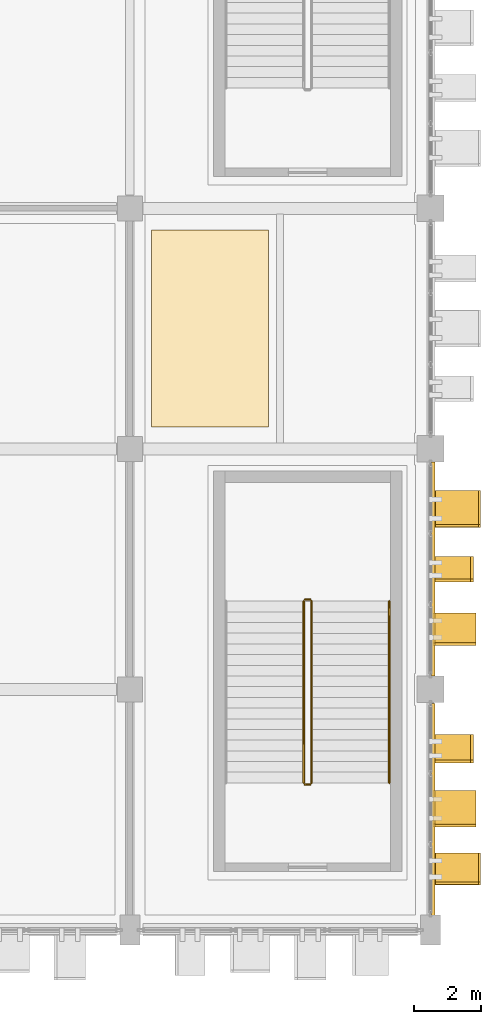
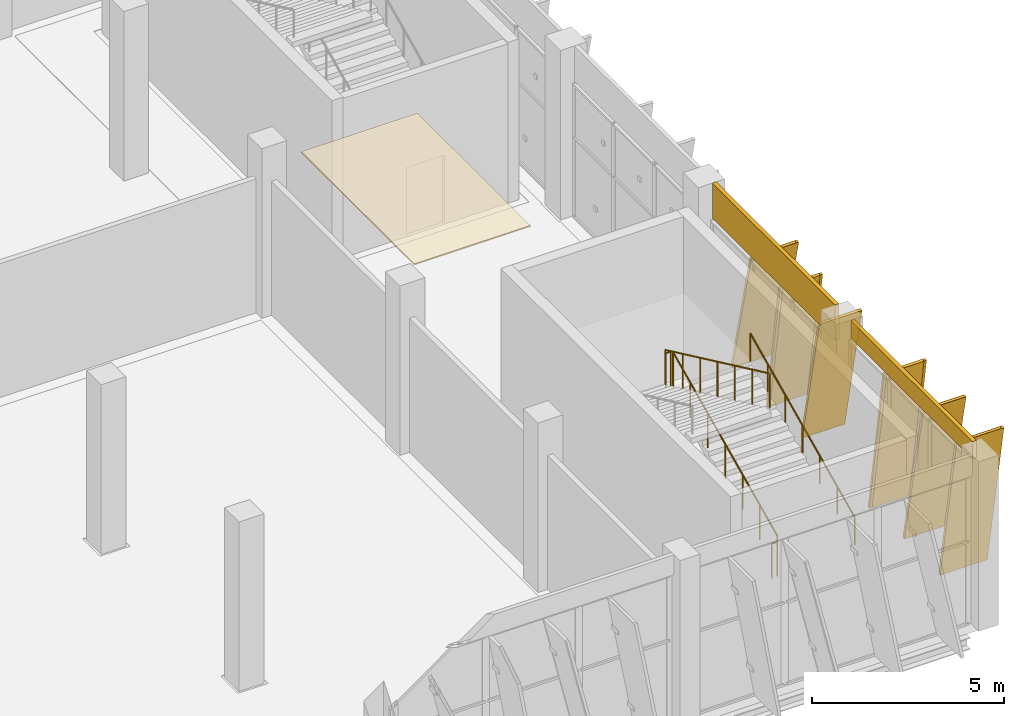
# One storey, part 121 of 137: 9 coverings, 6 shading devices, 5 railings.
"""IFC4 building model written with IfcOpenShell, lengths in metres."""

from ifc_helpers import new_model, si_unit, direction, frame, origin, origin_2d, place, context, subcontext, project, spatial, polyline, rectangle, circle, outline, extrude, material, layer, layer_set, material_profile, profile_set, type_object, element, save


model = new_model("IFC4")

# Units and contexts
model_context = context("Model", 3, precision=1e-05, world=origin(), true_north=direction((0.0, 1.0)))
body_context = subcontext(model_context, "Body", "Model", "MODEL_VIEW")
ifc_project = project(units=[si_unit("LENGTHUNIT", "METRE"), si_unit("AREAUNIT", "SQUARE_METRE"), si_unit("VOLUMEUNIT", "CUBIC_METRE"), si_unit("PLANEANGLEUNIT", "RADIAN"), si_unit("MASSUNIT", "GRAM", prefix="KILO")], contexts=[model_context])

# Site, building, storey
site_placement = place(None, origin())
site = spatial("IfcSite", under=ifc_project, at=site_placement, CompositionType="ELEMENT")
building_placement = place(site_placement, origin())
building = spatial("IfcBuilding", under=site, at=building_placement, Name="Celestram Park Convention Centre", CompositionType="ELEMENT")
storey_placement = place(building_placement, origin())
storey = spatial("IfcBuildingStorey", under=building, at=storey_placement, Name="L00", CompositionType="ELEMENT", Elevation=0.0)

# Coverings
ifc_material_1 = material(Name="Anodised Bronze Aluminium Spandrel Cladding", Category="aluminium")
ifc_layer_1 = layer(ifc_material_1, 0.050048828125)
ifc_layer_set_1 = layer_set([ifc_layer_1], Name="Anodised Bronze Aluminium Spandrel Cladding")
covering_type_1 = type_object("IfcCoveringType", Name="ARC-COV-CLD060", PredefinedType="CLADDING", material=ifc_layer_set_1)
covering_1_placement = place(storey_placement, frame((216.080078125, 10.800048828125, 4.2841796875), z_axis=(0.0, 0.0, 1.0), x_axis=(0.0, -1.0, 0.0)))
element("IfcCovering", 1, at=covering_1_placement, inside=storey, type_object=covering_type_1, Name="Bronze spandrel cladding CL-L00-024", PredefinedType="CLADDING", context=body_context, shape_type="SweptSolid", body=[
    extrude(rectangle(XDim=6.404052734375, YDim=0.1201171875, at=origin_2d()), origin(), (0.0, 0.0, 1.0), 1.115966796875),
])
covering_2_placement = place(storey_placement, frame((216.080078125, 3.60009765625, 4.840087890625), z_axis=(0.0, 0.0, 1.0), x_axis=(0.0, -1.0, 0.0)))
element("IfcCovering", 2, at=covering_2_placement, inside=storey, type_object=covering_type_1, Name="Bronze spandrel cladding CL-L00-025", PredefinedType="CLADDING", context=body_context, shape_type="SweptSolid", body=[
    extrude(rectangle(XDim=6.35400390625, YDim=0.1201171875, at=origin_2d()), origin(), (0.0, 0.0, 1.0), 0.56005859375),
])
ifc_material_2 = material(Name="Perforated Acoustic Mineral-Fibre Baffle Ceiling", Category="gypsum")
ifc_layer_2 = layer(ifc_material_2, 0.0400390625)
ifc_layer_set_2 = layer_set([ifc_layer_2], Name="Perforated Acoustic Mineral-Fibre Baffle Ceiling")
covering_type_2 = type_object("IfcCoveringType", Name="ARC-COV-CLG040", PredefinedType="CEILING", material=ifc_layer_set_2)
covering_3_placement = place(storey_placement, frame((0.0, 0.0, 5.080078125)))
element("IfcCovering", 3, at=covering_3_placement, inside=storey, type_object=covering_type_2, Name="East Ballroom Stair Foyer L00 acoustic baffle ceiling", PredefinedType="CEILING", context=body_context, shape_type="SweptSolid", body=[
    extrude(outline(polyline([(207.64990234375, 15.050048828125), (211.14990234375, 15.050048828125), (211.14990234375, 20.949951171875), (207.64990234375, 20.949951171875), (207.64990234375, 15.050048828125)])), origin(), (0.0, 0.0, 1.0), 0.0400390625),
])
ifc_material_3 = material(Name="Timber-Toned Anodised Aluminium Alloy 6063-T6", Category="wood")
ifc_material_profile_1 = material_profile(ifc_material_3, rectangle(XDim=1.1201171875, YDim=0.090087890625, at=origin_2d()), Name="REED1120X90")
ifc_profile_set_1 = profile_set([ifc_material_profile_1], Name="Timber-Toned Anodised Aluminium Alloy 6063-T6")
covering_type_3 = type_object("IfcCoveringType", Name="ARC-COV-FIN1120", PredefinedType="CLADDING", material=ifc_profile_set_1)
covering_4_placement = place(storey_placement, frame((216.639892578125, 11.14013671875, 0.032470703125), z_axis=(0.0, -0.159892813281, 0.987134382068), x_axis=(1.0, 0.0, 0.0)))
element("IfcCovering", 4, at=covering_4_placement, inside=storey, type_object=covering_type_3, Name="Leaning timber-toned reed fin RFN-L00-0078", PredefinedType="CLADDING", context=body_context, shape_type="SweptSolid", body=[
    extrude(rectangle(XDim=1.1201171875, YDim=0.090087890625, at=origin_2d()), origin(), (0.0, 0.0, 1.0), 4.25390625),
])
covering_5_placement = place(storey_placement, frame((216.639892578125, 5.8095703125, 0.035888671875), z_axis=(0.0, -0.159878683359, 0.987136670683), x_axis=(1.0, 0.0, 0.0)))
element("IfcCovering", 5, at=covering_5_placement, inside=storey, type_object=covering_type_3, Name="Leaning timber-toned reed fin RFN-L00-0080", PredefinedType="CLADDING", context=body_context, shape_type="SweptSolid", body=[
    extrude(rectangle(XDim=1.1201171875, YDim=0.090087890625, at=origin_2d()), origin(), (0.0, 0.0, 1.0), 4.81005859375),
])
ifc_material_profile_2 = material_profile(ifc_material_3, rectangle(XDim=1.280029296875, YDim=0.090087890625, at=origin_2d()), Name="REED1280X90")
ifc_profile_set_2 = profile_set([ifc_material_profile_2], Name="Timber-Toned Anodised Aluminium Alloy 6063-T6")
covering_type_4 = type_object("IfcCoveringType", Name="ARC-COV-FIN1280", PredefinedType="CLADDING", material=ifc_profile_set_2)
covering_6_placement = place(storey_placement, frame((216.719970703125, 9.44580078125, 0.05224609375), z_axis=(0.0, -0.209595719, 0.977788133788), x_axis=(1.0, 0.0, 0.0)))
element("IfcCovering", 6, at=covering_6_placement, inside=storey, type_object=covering_type_4, Name="Leaning timber-toned reed fin RFN-L00-0079", PredefinedType="CLADDING", context=body_context, shape_type="SweptSolid", body=[
    extrude(rectangle(XDim=1.280029296875, YDim=0.090087890625, at=origin_2d()), origin(), (0.0, 0.0, 1.0), 4.25390625),
])
covering_7_placement = place(storey_placement, frame((216.719970703125, 4.129150390625, 0.058349609375), z_axis=(0.0, -0.209615741791, 0.977783841549), x_axis=(1.0, 0.0, 0.0)))
element("IfcCovering", 7, at=covering_7_placement, inside=storey, type_object=covering_type_4, Name="Leaning timber-toned reed fin RFN-L00-0081", PredefinedType="CLADDING", context=body_context, shape_type="SweptSolid", body=[
    extrude(rectangle(XDim=1.280029296875, YDim=0.090087890625, at=origin_2d()), origin(), (0.0, 0.0, 1.0), 4.810302734375),
])
ifc_material_profile_3 = material_profile(ifc_material_3, rectangle(XDim=1.419921875, YDim=0.090087890625, at=origin_2d()), Name="REED1420X90")
ifc_profile_set_3 = profile_set([ifc_material_profile_3], Name="Timber-Toned Anodised Aluminium Alloy 6063-T6")
covering_type_5 = type_object("IfcCoveringType", Name="ARC-COV-FIN1420", PredefinedType="CLADDING", material=ifc_profile_set_3)
covering_8_placement = place(storey_placement, frame((216.7900390625, 13.107421875, 0.06640625), z_axis=(0.0, -0.238576962155, 0.971123593127), x_axis=(1.0, 0.0, 0.0)))
element("IfcCovering", 8, at=covering_8_placement, inside=storey, type_object=covering_type_5, Name="Leaning timber-toned reed fin RFN-L00-0077", PredefinedType="CLADDING", context=body_context, shape_type="SweptSolid", body=[
    extrude(rectangle(XDim=1.419921875, YDim=0.090087890625, at=origin_2d()), origin(), (0.0, 0.0, 1.0), 4.25390625),
])
covering_9_placement = place(storey_placement, frame((216.7900390625, 2.259033203125, 0.04443359375), z_axis=(0.0, -0.180493192635, 0.983576233656), x_axis=(1.0, 0.0, 0.0)))
element("IfcCovering", 9, at=covering_9_placement, inside=storey, type_object=covering_type_5, Name="Leaning timber-toned reed fin RFN-L00-0082", PredefinedType="CLADDING", context=body_context, shape_type="SweptSolid", body=[
    extrude(rectangle(XDim=1.419921875, YDim=0.090087890625, at=origin_2d()), origin(), (0.0, 0.0, 1.0), 4.81005859375),
])

# Shading devices
ifc_material_4 = material(Name="Anodised Bronze Aluminium Alloy 6063-T6", Category="aluminium")
ifc_material_profile_4 = material_profile(ifc_material_4, rectangle(XDim=1.280029296875, YDim=0.080078125, at=origin_2d()), Name="FIN1280X80")
ifc_profile_set_4 = profile_set([ifc_material_profile_4], Name="Anodised Bronze Aluminium Alloy 6063-T6")
shading_device_type = type_object("IfcShadingDeviceType", Name="ARC-FIN-BZ1280", PredefinedType="USERDEFINED", material=ifc_profile_set_4)
for number, where, z_axis, x_axis, name in (
    (10, (216.7900390625, 13.107421875, 0.06640625), (0.0, -0.238576962155, 0.971123593127), (1.0, 0.0, 0.0), "Expressive solar fin FN-L00-0077"),
    (11, (216.639892578125, 11.14013671875, 0.032470703125), (0.0, -0.159892813281, 0.987134382068), (1.0, 0.0, 0.0), "Expressive solar fin FN-L00-0078"),
    (12, (216.719970703125, 9.44580078125, 0.05224609375), (0.0, -0.209595719, 0.977788133788), (1.0, 0.0, 0.0), "Expressive solar fin FN-L00-0079"),
):
    element("IfcShadingDevice", number, at=place(storey_placement, frame(where, z_axis=z_axis, x_axis=x_axis)), inside=storey, type_object=shading_device_type, Name=name, ObjectType="SOLAR_FIN", PredefinedType="USERDEFINED", context=body_context, shape_type="SweptSolid", body=[
        extrude(rectangle(XDim=1.280029296875, YDim=0.080078125, at=origin_2d()), origin(), (0.0, 0.0, 1.0), 4.25390625),
    ])
shading_device_1_placement = place(storey_placement, frame((216.639892578125, 5.8095703125, 0.035888671875), z_axis=(0.0, -0.159878683359, 0.987136670683), x_axis=(1.0, 0.0, 0.0)))
element("IfcShadingDevice", 13, at=shading_device_1_placement, inside=storey, type_object=shading_device_type, Name="Expressive solar fin FN-L00-0080", ObjectType="SOLAR_FIN", PredefinedType="USERDEFINED", context=body_context, shape_type="SweptSolid", body=[
    extrude(rectangle(XDim=1.280029296875, YDim=0.080078125, at=origin_2d()), origin(), (0.0, 0.0, 1.0), 4.81005859375),
])
shading_device_2_placement = place(storey_placement, frame((216.719970703125, 4.129150390625, 0.058349609375), z_axis=(0.0, -0.209615741791, 0.977783841549), x_axis=(1.0, 0.0, 0.0)))
element("IfcShadingDevice", 14, at=shading_device_2_placement, inside=storey, type_object=shading_device_type, Name="Expressive solar fin FN-L00-0081", ObjectType="SOLAR_FIN", PredefinedType="USERDEFINED", context=body_context, shape_type="SweptSolid", body=[
    extrude(rectangle(XDim=1.280029296875, YDim=0.080078125, at=origin_2d()), origin(), (0.0, 0.0, 1.0), 4.810302734375),
])
shading_device_3_placement = place(storey_placement, frame((216.7900390625, 2.259033203125, 0.04443359375), z_axis=(0.0, -0.180493192635, 0.983576233656), x_axis=(1.0, 0.0, 0.0)))
element("IfcShadingDevice", 15, at=shading_device_3_placement, inside=storey, type_object=shading_device_type, Name="Expressive solar fin FN-L00-0082", ObjectType="SOLAR_FIN", PredefinedType="USERDEFINED", context=body_context, shape_type="SweptSolid", body=[
    extrude(rectangle(XDim=1.280029296875, YDim=0.080078125, at=origin_2d()), origin(), (0.0, 0.0, 1.0), 4.81005859375),
])

# Railings
ifc_material_5 = material(Name="Stainless Steel AISI 316L & Laminated Glass", Category="steel")
ifc_layer_3 = layer(ifc_material_5, 0.06005859375)
ifc_layer_set_3 = layer_set([ifc_layer_3], Name="Stainless Steel AISI 316L & Laminated Glass")
railing_type_1 = type_object("IfcRailingType", Name="ARC-RL-GRD1120", PredefinedType="GUARDRAIL", material=ifc_layer_set_3)
railing_1_placement = place(storey_placement, frame((212.43603515625, 4.39990234375, 0.14990234375)))
element("IfcRailing", 16, at=railing_1_placement, inside=storey, type_object=railing_type_1, Name="L00 ST-11 stair guard 1", PredefinedType="GUARDRAIL", context=body_context, shape_type="SweptSolid", body=[
    extrude(circle(Radius=0.02392578125, at=origin_2d()), frame((0.0, 0.0, 1.09619140625), z_axis=(0.0, 0.905461375974, 0.424428670827), x_axis=(-1.0, 0.0, 0.0)), (0.0, 0.0, 1.0), 6.00830078125),
    extrude(circle(Radius=0.02099609375, at=origin_2d()), origin(), (0.0, 0.0, 1.0), 1.072021484375),
    extrude(circle(Radius=0.02099609375, at=origin_2d()), frame((0.0, 0.90673828125, 0.425048828125)), (0.0, 0.0, 1.0), 1.072021484375),
    extrude(circle(Radius=0.02099609375, at=origin_2d()), frame((0.0, 1.8134765625, 0.85009765625)), (0.0, 0.0, 1.0), 1.072021484375),
    extrude(circle(Radius=0.02099609375, at=origin_2d()), frame((0.0, 2.72021484375, 1.27490234375)), (0.0, 0.0, 1.0), 1.072021484375),
    extrude(circle(Radius=0.02099609375, at=origin_2d()), frame((0.0, 3.626708984375, 1.699951171875)), (0.0, 0.0, 1.0), 1.072021484375),
    extrude(circle(Radius=0.02099609375, at=origin_2d()), frame((0.0, 4.533447265625, 2.125)), (0.0, 0.0, 1.0), 1.072021484375),
    extrude(circle(Radius=0.02099609375, at=origin_2d()), frame((0.0, 5.440185546875, 2.550048828125)), (0.0, 0.0, 1.0), 1.072021484375),
])
railing_2_placement = place(storey_placement, frame((212.39990234375, 9.889892578125, 2.699951171875)))
element("IfcRailing", 17, at=railing_2_placement, inside=storey, type_object=railing_type_1, Name="L00 ST-11 stair guard 2", PredefinedType="GUARDRAIL", context=body_context, shape_type="SweptSolid", body=[
    extrude(circle(Radius=0.02392578125, at=origin_2d()), frame((0.0, 0.0, 1.09619140625), z_axis=(-1.0, 0.0, 0.0), x_axis=(0.0, -1.0, 0.0)), (0.0, 0.0, 1.0), 0.159912109375),
    extrude(circle(Radius=0.02099609375, at=origin_2d()), origin(), (0.0, 0.0, 1.0), 1.072021484375),
    extrude(circle(Radius=0.02099609375, at=origin_2d()), frame((-0.159912109375, 0.0, 0.0)), (0.0, 0.0, 1.0), 1.072021484375),
])
railing_3_placement = place(storey_placement, frame((212.2041015625, 9.840087890625, 2.85009765625)))
element("IfcRailing", 18, at=railing_3_placement, inside=storey, type_object=railing_type_1, Name="L00 ST-11 stair guard 3", PredefinedType="GUARDRAIL", context=body_context, shape_type="SweptSolid", body=[
    extrude(circle(Radius=0.02392578125, at=origin_2d()), frame((0.0, 0.0, 1.09619140625), z_axis=(0.0, -0.90547699167, 0.424395355248), x_axis=(1.0, 0.0, 0.0)), (0.0, 0.0, 1.0), 6.008056640625),
    extrude(circle(Radius=0.02099609375, at=origin_2d()), origin(), (0.0, 0.0, 1.0), 1.072021484375),
    extrude(circle(Radius=0.02099609375, at=origin_2d()), frame((0.0, -0.90673828125, 0.425048828125)), (0.0, 0.0, 1.0), 1.072021484375),
    extrude(circle(Radius=0.02099609375, at=origin_2d()), frame((0.0, -1.8134765625, 0.849853515625)), (0.0, 0.0, 1.0), 1.072021484375),
    extrude(circle(Radius=0.02099609375, at=origin_2d()), frame((0.0, -2.72021484375, 1.27490234375)), (0.0, 0.0, 1.0), 1.072021484375),
    extrude(circle(Radius=0.02099609375, at=origin_2d()), frame((0.0, -3.626708984375, 1.699951171875)), (0.0, 0.0, 1.0), 1.072021484375),
    extrude(circle(Radius=0.02099609375, at=origin_2d()), frame((0.0, -4.533447265625, 2.124755859375)), (0.0, 0.0, 1.0), 1.072021484375),
    extrude(circle(Radius=0.02099609375, at=origin_2d()), frame((0.0, -5.440185546875, 2.5498046875)), (0.0, 0.0, 1.0), 1.072021484375),
])
railing_4_placement = place(storey_placement, frame((212.39990234375, 4.35009765625, 0.0)))
element("IfcRailing", 19, at=railing_4_placement, inside=storey, type_object=railing_type_1, Name="L00 ST-11 stair guard 4", PredefinedType="GUARDRAIL", context=body_context, shape_type="SweptSolid", body=[
    extrude(circle(Radius=0.02392578125, at=origin_2d()), frame((0.0, 0.0, 1.09619140625), z_axis=(-1.0, 0.0, 0.0), x_axis=(0.0, -1.0, 0.0)), (0.0, 0.0, 1.0), 0.159912109375),
    extrude(circle(Radius=0.02099609375, at=origin_2d()), origin(), (0.0, 0.0, 1.0), 1.072021484375),
    extrude(circle(Radius=0.02099609375, at=origin_2d()), frame((-0.159912109375, 0.0, 0.0)), (0.0, 0.0, 1.0), 1.072021484375),
])
ifc_material_6 = material(Name="Brushed Stainless Steel AISI 304", Category="steel")
ifc_layer_4 = layer(ifc_material_6, 0.048095703125)
ifc_layer_set_4 = layer_set([ifc_layer_4], Name="Brushed Stainless Steel AISI 304")
railing_type_2 = type_object("IfcRailingType", Name="ARC-RL-HND915", PredefinedType="HANDRAIL", material=ifc_layer_set_4)
railing_5_placement = place(storey_placement, frame((214.763916015625, 4.39990234375, 0.14990234375)))
element("IfcRailing", 20, at=railing_5_placement, inside=storey, type_object=railing_type_2, Name="L00 ST-11 stair handrail 1", PredefinedType="HANDRAIL", context=body_context, shape_type="SweptSolid", body=[
    extrude(circle(Radius=0.02392578125, at=origin_2d()), frame((0.0, 0.0, 0.8759765625), z_axis=(0.0, 0.905461375974, 0.424428670827), x_axis=(-1.0, 0.0, 0.0)), (0.0, 0.0, 1.0), 6.00830078125),
    extrude(circle(Radius=0.02099609375, at=origin_2d()), origin(), (0.0, 0.0, 1.0), 0.851806640625),
    extrude(circle(Radius=0.02099609375, at=origin_2d()), frame((0.0, 0.90673828125, 0.425048828125)), (0.0, 0.0, 1.0), 0.851806640625),
    extrude(circle(Radius=0.02099609375, at=origin_2d()), frame((0.0, 1.8134765625, 0.85009765625)), (0.0, 0.0, 1.0), 0.851806640625),
    extrude(circle(Radius=0.02099609375, at=origin_2d()), frame((0.0, 2.72021484375, 1.27490234375)), (0.0, 0.0, 1.0), 0.851806640625),
    extrude(circle(Radius=0.02099609375, at=origin_2d()), frame((0.0, 3.626708984375, 1.699951171875)), (0.0, 0.0, 1.0), 0.851806640625),
    extrude(circle(Radius=0.02099609375, at=origin_2d()), frame((0.0, 4.533447265625, 2.125)), (0.0, 0.0, 1.0), 0.851806640625),
    extrude(circle(Radius=0.02099609375, at=origin_2d()), frame((0.0, 5.440185546875, 2.550048828125)), (0.0, 0.0, 1.0), 0.851806640625),
])

save(model, "model.ifc")
